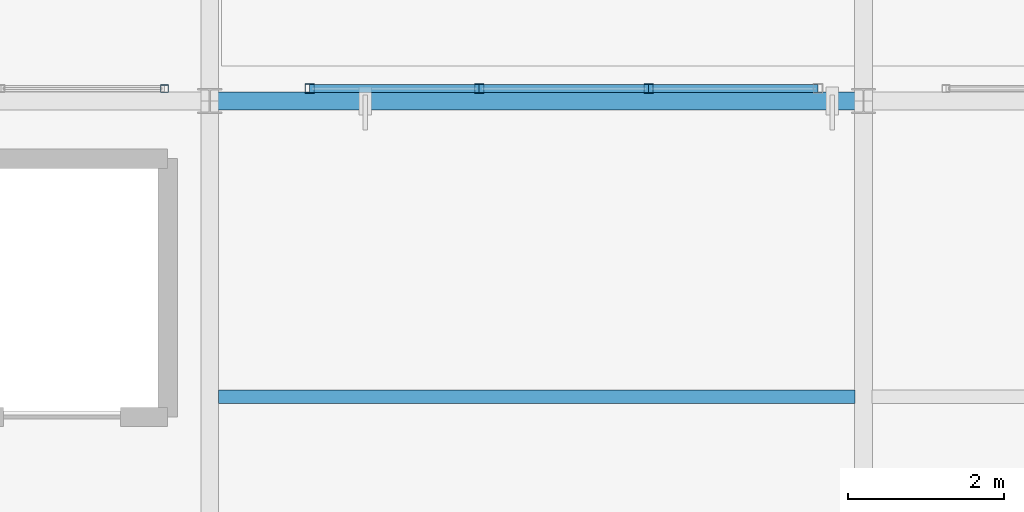
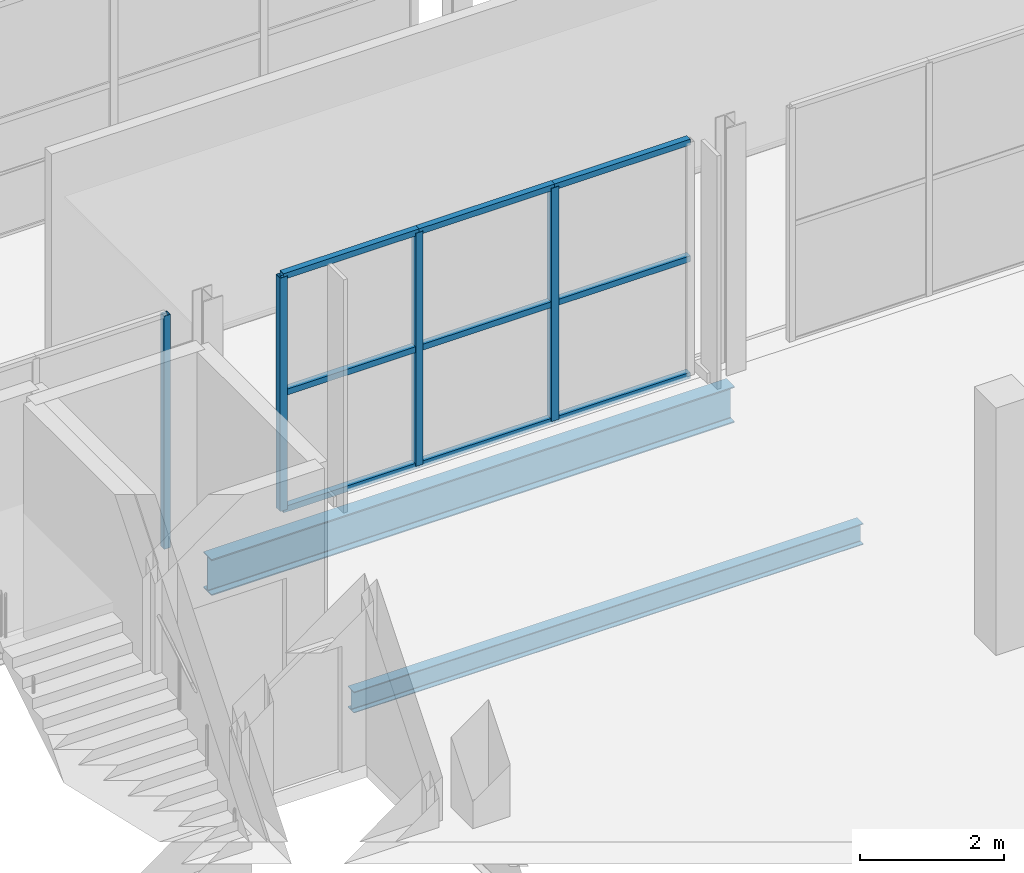
# One storey, part 28 of 151: 13 members, 2 beams, 2 elements without a shape of their own.
"""IFC4 building model written with IfcOpenShell, lengths in metres."""

from ifc_helpers import new_model, si_unit, direction, frame, origin, origin_2d, place, context, subcontext, project, spatial, hollow_rectangle, i_section, extrude, material, material_profile, profile_set, type_object, element, aggregate, save


model = new_model("IFC4")

# Units and contexts
model_context = context("Model", 3, precision=1e-05, world=origin(), true_north=direction((0.0, 1.0)))
body_context = subcontext(model_context, "Body", "Model", "MODEL_VIEW")
ifc_project = project(units=[si_unit("LENGTHUNIT", "METRE"), si_unit("AREAUNIT", "SQUARE_METRE"), si_unit("VOLUMEUNIT", "CUBIC_METRE"), si_unit("PLANEANGLEUNIT", "RADIAN"), si_unit("MASSUNIT", "GRAM", prefix="KILO")], contexts=[model_context])

# Site, building, storey
site_placement = place(None, origin())
site = spatial("IfcSite", under=ifc_project, at=site_placement, CompositionType="ELEMENT")
building_placement = place(site_placement, origin())
building = spatial("IfcBuilding", under=site, at=building_placement, Name="Zuvorla Pavilion Media Centre", CompositionType="ELEMENT")
storey_placement = place(building_placement, frame((0.0, 0.0, 13.800048828125)))
storey = spatial("IfcBuildingStorey", under=building, at=storey_placement, Name="L03", CompositionType="ELEMENT", Elevation=13.800048828125)

# Beams
ifc_material_1 = material(Name="Steel S355", Category="steel")
ifc_material_profile_1 = material_profile(ifc_material_1, i_section(OverallWidth=0.172119140625, OverallDepth=0.35791015625, WebThickness=0.008056640625, FlangeThickness=0.012939453125, FilletRadius=0.01025390625, at=origin_2d()), Name="UB 356x171x57")
ifc_profile_set_1 = profile_set([ifc_material_profile_1], Name="Steel S355")
beam_type_1 = type_object("IfcBeamType", Name="BM-UB356", PredefinedType="JOIST", material=ifc_profile_set_1)
beam_1_placement = place(storey_placement, frame((50.109619140625, 40.199951171875, -0.43701171875), z_axis=(1.0, 0.0, 0.0), x_axis=(0.0, 1.0, 0.0)))
element("IfcBeam", 1, at=beam_1_placement, inside=storey, type_object=beam_type_1, Name="L03 joist J03 1250", PredefinedType="JOIST", context=body_context, shape_type="SweptSolid", body=[
    extrude(i_section(OverallWidth=0.172119140625, OverallDepth=0.35791015625, WebThickness=0.008056640625, FlangeThickness=0.012939453125, FilletRadius=0.01025390625, at=origin_2d()), origin(), (0.0, 0.0, 1.0), 8.180908203125),
])
ifc_material_profile_2 = material_profile(ifc_material_1, i_section(OverallWidth=0.22900390625, OverallDepth=0.6123046875, WebThickness=0.011962890625, FlangeThickness=0.01953125, FilletRadius=0.0126953125, at=origin_2d()), Name="UB 610x229x125")
ifc_profile_set_2 = profile_set([ifc_material_profile_2], Name="Steel S355")
beam_type_2 = type_object("IfcBeamType", Name="BM-UB610", PredefinedType="BEAM", material=ifc_profile_set_2)
beam_2_placement = place(storey_placement, frame((50.0, 44.0, -0.564208984375), z_axis=(1.0, 0.0, 0.0), x_axis=(0.0, 1.0, 0.0)))
element("IfcBeam", 2, at=beam_2_placement, inside=storey, type_object=beam_type_2, Name="L03 beam B07 1078", PredefinedType="BEAM", context=body_context, shape_type="SweptSolid", body=[
    extrude(i_section(OverallWidth=0.22900390625, OverallDepth=0.6123046875, WebThickness=0.011962890625, FlangeThickness=0.01953125, FilletRadius=0.0126953125, at=origin_2d()), origin(), (0.0, 0.0, 1.0), 8.39990234375),
])

# Curtain wall, member
ifc_material_2 = material(Name="Unitised anodised aluminium and solar glass curtain wall", Category="aluminium")
curtain_wall_type_1 = type_object("IfcCurtainWallType", Name="CW-SYS-36", PredefinedType="USERDEFINED", material=ifc_material_2)
curtain_wall_1_placement = place(storey_placement, origin())
curtain_wall_1 = element("IfcCurtainWall", 3, at=curtain_wall_1_placement, inside=storey, type_object=curtain_wall_type_1, Name="L03 curtain wall CW36 134", ObjectType="CURTAIN WALL", PredefinedType="USERDEFINED")
ifc_material_3 = material(Name="Anodised aluminium 6063-T6", Category="aluminium")
ifc_material_profile_3 = material_profile(ifc_material_3, hollow_rectangle(XDim=0.10009765625, YDim=0.10009765625, WallThickness=0.00439453125, at=origin_2d()), Name="ALU MULL 100x100")
ifc_profile_set_3 = profile_set([ifc_material_profile_3], Name="Anodised aluminium 6063-T6")
member_type_1 = type_object("IfcMemberType", Name="CW-MULL-100", PredefinedType="MULLION", material=ifc_profile_set_3)
member_1_placement = place(storey_placement, frame((49.418212890625, 44.159912109375, 0.0), z_axis=(0.0, 0.0, 1.0), x_axis=(1.0, 0.0, 0.0)))
member_1 = element("IfcMember", 4, at=member_1_placement, type_object=member_type_1, Name="CW36 mullion 4", PredefinedType="MULLION", context=body_context, shape_type="SweptSolid", body=[
    extrude(hollow_rectangle(XDim=0.10009765625, YDim=0.10009765625, WallThickness=0.00439453125, at=origin_2d()), origin(), (0.0, 0.0, 1.0), 3.9599609375),
])
aggregate(curtain_wall_1, [member_1])

# Curtain wall, members
curtain_wall_type_2 = type_object("IfcCurtainWallType", Name="CW-SYS-63", PredefinedType="USERDEFINED", material=ifc_material_2)
curtain_wall_2_placement = place(storey_placement, origin())
curtain_wall_2 = element("IfcCurtainWall", 5, at=curtain_wall_2_placement, inside=storey, type_object=curtain_wall_type_2, Name="L03 curtain wall CW63 135", ObjectType="CURTAIN WALL", PredefinedType="USERDEFINED")
ifc_material_profile_4 = material_profile(ifc_material_3, hollow_rectangle(XDim=0.1201171875, YDim=0.1201171875, WallThickness=0.0048828125, at=origin_2d()), Name="ALU MULL 120x120")
ifc_profile_set_4 = profile_set([ifc_material_profile_4], Name="Anodised aluminium 6063-T6")
member_type_2 = type_object("IfcMemberType", Name="CW-MULL-120", PredefinedType="MULLION", material=ifc_profile_set_4)
member_2_placement = place(storey_placement, frame((51.284912109375, 44.159912109375, 0.0), z_axis=(0.0, 0.0, 1.0), x_axis=(1.0, 0.0, 0.0)))
member_2 = element("IfcMember", 6, at=member_2_placement, type_object=member_type_2, Name="CW63 mullion 1", PredefinedType="MULLION", context=body_context, shape_type="SweptSolid", body=[
    extrude(hollow_rectangle(XDim=0.1201171875, YDim=0.1201171875, WallThickness=0.0048828125, at=origin_2d()), origin(), (0.0, 0.0, 1.0), 3.9599609375),
])
member_3_placement = place(storey_placement, frame((53.462646484375, 44.159912109375, 0.0), z_axis=(0.0, 0.0, 1.0), x_axis=(1.0, 0.0, 0.0)))
member_3 = element("IfcMember", 7, at=member_3_placement, type_object=member_type_2, Name="CW63 mullion 2", PredefinedType="MULLION", context=body_context, shape_type="SweptSolid", body=[
    extrude(hollow_rectangle(XDim=0.1201171875, YDim=0.1201171875, WallThickness=0.0048828125, at=origin_2d()), origin(), (0.0, 0.0, 1.0), 3.9599609375),
])
member_4_placement = place(storey_placement, frame((55.640380859375, 44.159912109375, 0.0), z_axis=(0.0, 0.0, 1.0), x_axis=(1.0, 0.0, 0.0)))
member_4 = element("IfcMember", 8, at=member_4_placement, type_object=member_type_2, Name="CW63 mullion 3", PredefinedType="MULLION", context=body_context, shape_type="SweptSolid", body=[
    extrude(hollow_rectangle(XDim=0.1201171875, YDim=0.1201171875, WallThickness=0.0048828125, at=origin_2d()), origin(), (0.0, 0.0, 1.0), 3.9599609375),
])
ifc_material_profile_5 = material_profile(ifc_material_3, hollow_rectangle(XDim=0.10009765625, YDim=0.10009765625, WallThickness=0.00439453125, at=origin_2d()), Name="ALU TRAN 100x100")
ifc_profile_set_5 = profile_set([ifc_material_profile_5], Name="Anodised aluminium 6063-T6")
member_type_3 = type_object("IfcMemberType", Name="CW-TRAN-100", PredefinedType="USERDEFINED", material=ifc_profile_set_5)
member_5_placement = place(storey_placement, frame((51.284912109375, 44.159912109375, 0.0), z_axis=(1.0, 0.0, 0.0), x_axis=(0.0, 1.0, 0.0)))
member_5 = element("IfcMember", 9, at=member_5_placement, type_object=member_type_3, Name="CW63 transom 1.1", ObjectType="TRANSOM", PredefinedType="USERDEFINED", context=body_context, shape_type="SweptSolid", body=[
    extrude(hollow_rectangle(XDim=0.10009765625, YDim=0.10009765625, WallThickness=0.00439453125, at=origin_2d()), origin(), (0.0, 0.0, 1.0), 2.177734375),
])
member_6_placement = place(storey_placement, frame((51.284912109375, 44.159912109375, 1.97998046875), z_axis=(1.0, 0.0, 0.0), x_axis=(0.0, 1.0, 0.0)))
member_6 = element("IfcMember", 10, at=member_6_placement, type_object=member_type_3, Name="CW63 transom 1.2", ObjectType="TRANSOM", PredefinedType="USERDEFINED", context=body_context, shape_type="SweptSolid", body=[
    extrude(hollow_rectangle(XDim=0.10009765625, YDim=0.10009765625, WallThickness=0.00439453125, at=origin_2d()), origin(), (0.0, 0.0, 1.0), 2.177734375),
])
member_7_placement = place(storey_placement, frame((51.284912109375, 44.159912109375, 3.9599609375), z_axis=(1.0, 0.0, 0.0), x_axis=(0.0, 1.0, 0.0)))
member_7 = element("IfcMember", 11, at=member_7_placement, type_object=member_type_3, Name="CW63 transom 1.3", ObjectType="TRANSOM", PredefinedType="USERDEFINED", context=body_context, shape_type="SweptSolid", body=[
    extrude(hollow_rectangle(XDim=0.10009765625, YDim=0.10009765625, WallThickness=0.00439453125, at=origin_2d()), origin(), (0.0, 0.0, 1.0), 2.177734375),
])
member_8_placement = place(storey_placement, frame((53.462646484375, 44.159912109375, 0.0), z_axis=(1.0, 0.0, 0.0), x_axis=(0.0, 1.0, 0.0)))
member_8 = element("IfcMember", 12, at=member_8_placement, type_object=member_type_3, Name="CW63 transom 2.1", ObjectType="TRANSOM", PredefinedType="USERDEFINED", context=body_context, shape_type="SweptSolid", body=[
    extrude(hollow_rectangle(XDim=0.10009765625, YDim=0.10009765625, WallThickness=0.00439453125, at=origin_2d()), origin(), (0.0, 0.0, 1.0), 2.177734375),
])
member_9_placement = place(storey_placement, frame((53.462646484375, 44.159912109375, 1.97998046875), z_axis=(1.0, 0.0, 0.0), x_axis=(0.0, 1.0, 0.0)))
member_9 = element("IfcMember", 13, at=member_9_placement, type_object=member_type_3, Name="CW63 transom 2.2", ObjectType="TRANSOM", PredefinedType="USERDEFINED", context=body_context, shape_type="SweptSolid", body=[
    extrude(hollow_rectangle(XDim=0.10009765625, YDim=0.10009765625, WallThickness=0.00439453125, at=origin_2d()), origin(), (0.0, 0.0, 1.0), 2.177734375),
])
member_10_placement = place(storey_placement, frame((53.462646484375, 44.159912109375, 3.9599609375), z_axis=(1.0, 0.0, 0.0), x_axis=(0.0, 1.0, 0.0)))
member_10 = element("IfcMember", 14, at=member_10_placement, type_object=member_type_3, Name="CW63 transom 2.3", ObjectType="TRANSOM", PredefinedType="USERDEFINED", context=body_context, shape_type="SweptSolid", body=[
    extrude(hollow_rectangle(XDim=0.10009765625, YDim=0.10009765625, WallThickness=0.00439453125, at=origin_2d()), origin(), (0.0, 0.0, 1.0), 2.177734375),
])
member_11_placement = place(storey_placement, frame((55.640380859375, 44.159912109375, 0.0), z_axis=(1.0, 0.0, 0.0), x_axis=(0.0, 1.0, 0.0)))
member_11 = element("IfcMember", 15, at=member_11_placement, type_object=member_type_3, Name="CW63 transom 3.1", ObjectType="TRANSOM", PredefinedType="USERDEFINED", context=body_context, shape_type="SweptSolid", body=[
    extrude(hollow_rectangle(XDim=0.10009765625, YDim=0.10009765625, WallThickness=0.00439453125, at=origin_2d()), origin(), (0.0, 0.0, 1.0), 2.177734375),
])
member_12_placement = place(storey_placement, frame((55.640380859375, 44.159912109375, 1.97998046875), z_axis=(1.0, 0.0, 0.0), x_axis=(0.0, 1.0, 0.0)))
member_12 = element("IfcMember", 16, at=member_12_placement, type_object=member_type_3, Name="CW63 transom 3.2", ObjectType="TRANSOM", PredefinedType="USERDEFINED", context=body_context, shape_type="SweptSolid", body=[
    extrude(hollow_rectangle(XDim=0.10009765625, YDim=0.10009765625, WallThickness=0.00439453125, at=origin_2d()), origin(), (0.0, 0.0, 1.0), 2.177734375),
])
member_13_placement = place(storey_placement, frame((55.640380859375, 44.159912109375, 3.9599609375), z_axis=(1.0, 0.0, 0.0), x_axis=(0.0, 1.0, 0.0)))
member_13 = element("IfcMember", 17, at=member_13_placement, type_object=member_type_3, Name="CW63 transom 3.3", ObjectType="TRANSOM", PredefinedType="USERDEFINED", context=body_context, shape_type="SweptSolid", body=[
    extrude(hollow_rectangle(XDim=0.10009765625, YDim=0.10009765625, WallThickness=0.00439453125, at=origin_2d()), origin(), (0.0, 0.0, 1.0), 2.177734375),
])
aggregate(curtain_wall_2, [member_2, member_3, member_4, member_5, member_6, member_7, member_8, member_9, member_10, member_11, member_12, member_13])

save(model, "model.ifc")
